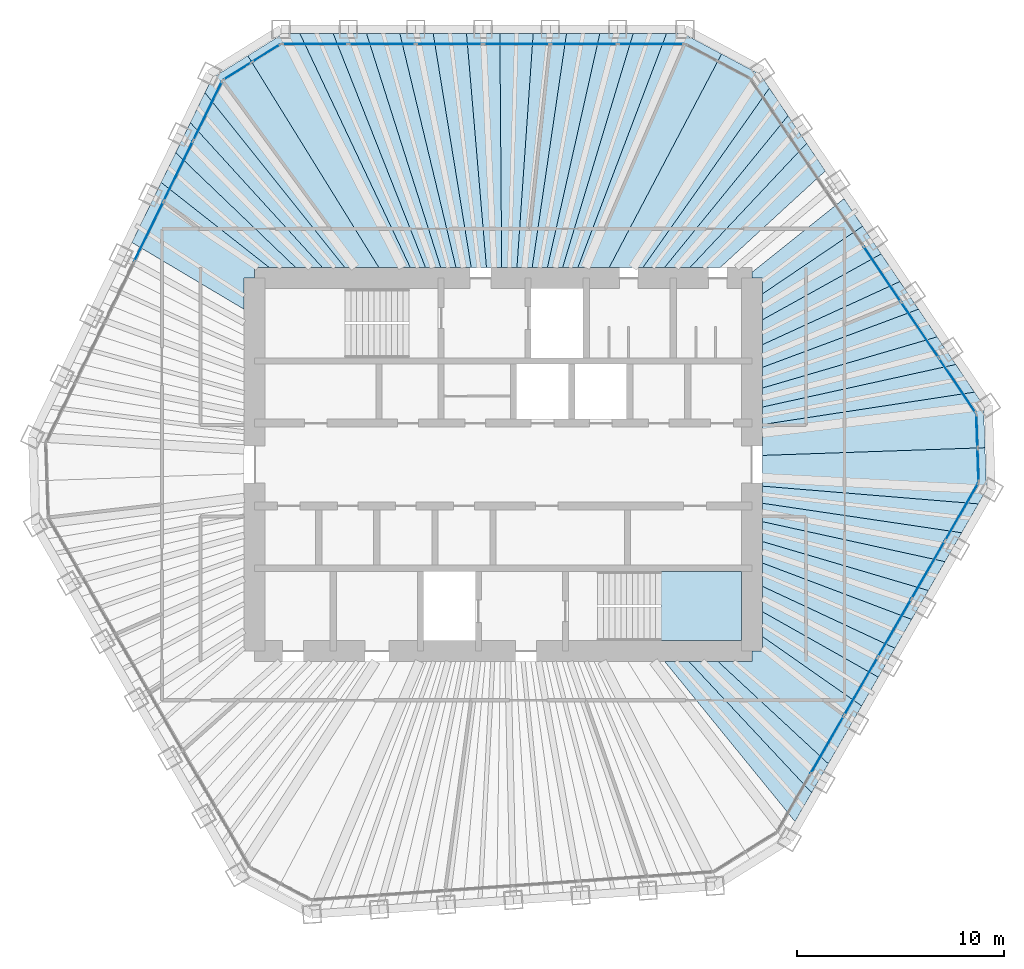
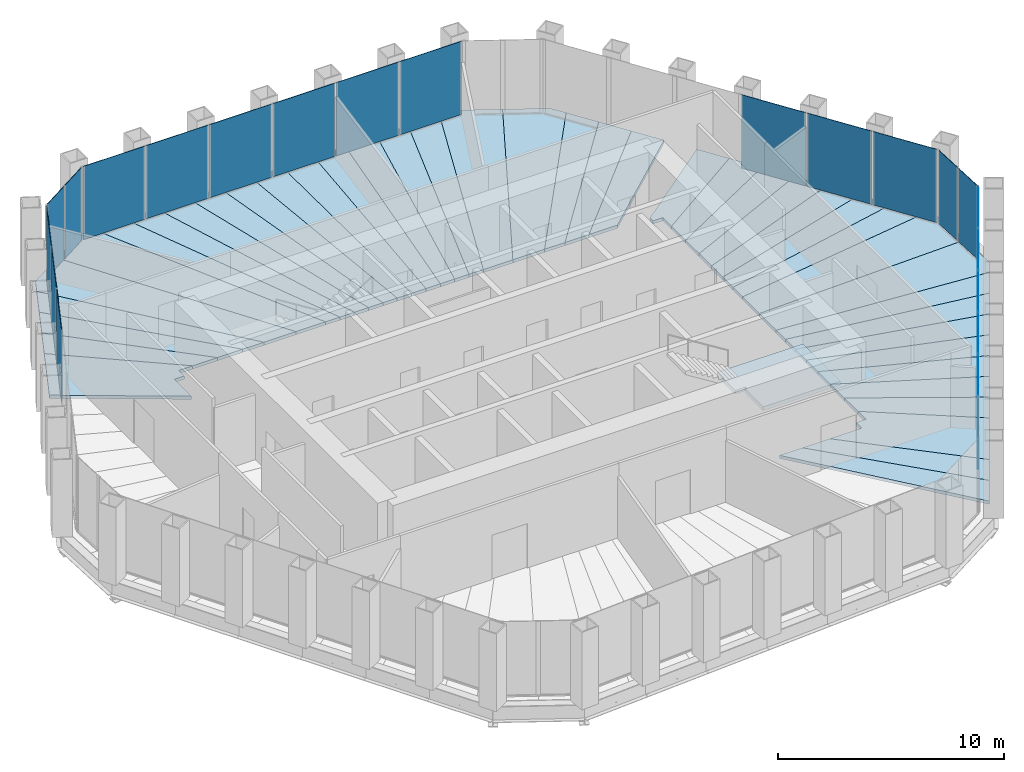
# One storey, part 10 of 14: 42 slabs, 21 plates, 7 elements without a shape of their own.
"""IFC4 building model written with IfcOpenShell, lengths in metres."""

from ifc_helpers import new_model, si_unit, direction, frame, origin, origin_2d, place, context, subcontext, project, spatial, polyline, rectangle, outline, extrude, material, layer, layer_set, type_object, element, aggregate, save


model = new_model("IFC4")

# Units and contexts
model_context = context("Model", 3, precision=1e-05, world=origin(), true_north=direction((0.0, 1.0)))
body_context = subcontext(model_context, "Body", "Model", "MODEL_VIEW")
ifc_project = project(units=[si_unit("LENGTHUNIT", "METRE"), si_unit("AREAUNIT", "SQUARE_METRE"), si_unit("VOLUMEUNIT", "CUBIC_METRE"), si_unit("PLANEANGLEUNIT", "RADIAN"), si_unit("MASSUNIT", "GRAM", prefix="KILO")], contexts=[model_context])

# Site, building, storey
site_placement = place(None, origin())
site = spatial("IfcSite", under=ifc_project, at=site_placement, CompositionType="ELEMENT")
building_placement = place(site_placement, origin())
building = spatial("IfcBuilding", under=site, at=building_placement, Name="Qingtian Harvest Tower", CompositionType="ELEMENT")
storey_placement = place(building_placement, frame((0.0, 0.0, 287.199951171875)))
storey = spatial("IfcBuildingStorey", under=building, at=storey_placement, Name="L63", CompositionType="ELEMENT", Elevation=287.199951171875)

# Slabs
ifc_material_1 = material(Name="Concrete fc' 35 MPa", Category="concrete")
ifc_layer_1 = layer(ifc_material_1, 0.169921875)
ifc_layer_set_1 = layer_set([ifc_layer_1], Name="Composite floor slab FS17 170")
slab_type_1 = type_object("IfcSlabType", Name="Composite floor slab FS17 170", PredefinedType="FLOOR", material=ifc_layer_set_1)
slab_1_placement = place(storey_placement, frame((0.0, 0.0, -0.169921875)))
element("IfcSlab", 1, at=slab_1_placement, inside=storey, type_object=slab_type_1, Name="Floor slab L63 panel D28", PredefinedType="FLOOR", context=body_context, shape_type="SweptSolid", body=[
    extrude(outline(polyline([(8.957275390625, -9.5), (14.88232421875, -15.8330078125), (14.077880859375, -17.2265625), (7.78515625, -9.5), (8.957275390625, -9.5)])), origin(), (0.0, 0.0, 1.0), 0.169921875),
])
slab_2_placement = place(storey_placement, frame((0.0, 0.0, -0.169921875)))
element("IfcSlab", 2, at=slab_2_placement, inside=storey, type_object=slab_type_1, Name="Floor slab L63 panel D29", PredefinedType="FLOOR", context=body_context, shape_type="SweptSolid", body=[
    extrude(outline(polyline([(10.35693359375, -9.5), (15.68701171875, -14.439453125), (14.88232421875, -15.8330078125), (8.957275390625, -9.5), (10.35693359375, -9.5)])), origin(), (0.0, 0.0, 1.0), 0.169921875),
])
slab_3_placement = place(storey_placement, frame((0.0, 0.0, -0.169921875)))
element("IfcSlab", 3, at=slab_3_placement, inside=storey, type_object=slab_type_1, Name="Floor slab L63 panel D31", PredefinedType="FLOOR", context=body_context, shape_type="SweptSolid", body=[
    extrude(outline(polyline([(12.5, -8.29443359375), (17.297119140625, -11.650390625), (15.68701171875, -14.439453125), (10.35693359375, -9.5), (12.0, -9.5), (12.0, -9.0), (12.5, -9.0), (12.5, -8.29443359375)])), origin(), (0.0, 0.0, 1.0), 0.169921875),
])
slab_4_placement = place(storey_placement, frame((0.0, 0.0, -0.169921875)))
element("IfcSlab", 4, at=slab_4_placement, inside=storey, type_object=slab_type_1, Name="Floor slab L63 panel D32", PredefinedType="FLOOR", context=body_context, shape_type="SweptSolid", body=[
    extrude(outline(polyline([(12.5, -7.099853515625), (18.099853515625, -10.26025390625), (17.297119140625, -11.650390625), (12.5, -8.29443359375), (12.5, -7.099853515625)])), origin(), (0.0, 0.0, 1.0), 0.169921875),
])
slab_5_placement = place(storey_placement, frame((0.0, 0.0, -0.169921875)))
element("IfcSlab", 5, at=slab_5_placement, inside=storey, type_object=slab_type_1, Name="Floor slab L63 panel D33", PredefinedType="FLOOR", context=body_context, shape_type="SweptSolid", body=[
    extrude(outline(polyline([(12.5, -5.875244140625), (18.904296875, -8.86669921875), (18.099853515625, -10.26025390625), (12.5, -7.099853515625), (12.5, -5.875244140625)])), origin(), (0.0, 0.0, 1.0), 0.169921875),
])
slab_6_placement = place(storey_placement, frame((0.0, 0.0, -0.169921875)))
element("IfcSlab", 6, at=slab_6_placement, inside=storey, type_object=slab_type_1, Name="Floor slab L63 panel D34", PredefinedType="FLOOR", context=body_context, shape_type="SweptSolid", body=[
    extrude(outline(polyline([(12.5, -4.750732421875), (19.708740234375, -7.473388671875), (18.904296875, -8.86669921875), (12.5, -5.875244140625), (12.5, -4.750732421875)])), origin(), (0.0, 0.0, 1.0), 0.169921875),
])
slab_7_placement = place(storey_placement, frame((0.0, 0.0, -0.169921875)))
element("IfcSlab", 7, at=slab_7_placement, inside=storey, type_object=slab_type_1, Name="Floor slab L63 panel D35", PredefinedType="FLOOR", context=body_context, shape_type="SweptSolid", body=[
    extrude(outline(polyline([(12.5, -3.714599609375), (20.51318359375, -6.080078125), (19.708740234375, -7.473388671875), (12.5, -4.750732421875), (12.5, -3.714599609375)])), origin(), (0.0, 0.0, 1.0), 0.169921875),
])
slab_8_placement = place(storey_placement, frame((0.0, 0.0, -0.169921875)))
element("IfcSlab", 8, at=slab_8_placement, inside=storey, type_object=slab_type_1, Name="Floor slab L63 panel D36", PredefinedType="FLOOR", context=body_context, shape_type="SweptSolid", body=[
    extrude(outline(polyline([(12.5, -2.756591796875), (21.317626953125, -4.6865234375), (20.51318359375, -6.080078125), (12.5, -3.714599609375), (12.5, -2.756591796875)])), origin(), (0.0, 0.0, 1.0), 0.169921875),
])
slab_9_placement = place(storey_placement, frame((0.0, 0.0, -0.169921875)))
element("IfcSlab", 9, at=slab_9_placement, inside=storey, type_object=slab_type_1, Name="Floor slab L63 panel D37", PredefinedType="FLOOR", context=body_context, shape_type="SweptSolid", body=[
    extrude(outline(polyline([(12.5, -1.868408203125), (22.122314453125, -3.293212890625), (21.317626953125, -4.6865234375), (12.5, -2.756591796875), (12.5, -1.868408203125)])), origin(), (0.0, 0.0, 1.0), 0.169921875),
])
slab_10_placement = place(storey_placement, frame((0.0, 0.0, -0.169921875)))
element("IfcSlab", 10, at=slab_10_placement, inside=storey, type_object=slab_type_1, Name="Floor slab L63 panel D38", PredefinedType="FLOOR", context=body_context, shape_type="SweptSolid", body=[
    extrude(outline(polyline([(12.5, -1.042724609375), (22.9267578125, -1.89990234375), (22.122314453125, -3.293212890625), (12.5, -1.868408203125), (12.5, -1.042724609375)])), origin(), (0.0, 0.0, 1.0), 0.169921875),
])
slab_11_placement = place(storey_placement, frame((0.0, 0.0, -0.169921875)))
element("IfcSlab", 11, at=slab_11_placement, inside=storey, type_object=slab_type_1, Name="Floor slab L63 panel D39", PredefinedType="FLOOR", context=body_context, shape_type="SweptSolid", body=[
    extrude(outline(polyline([(12.5, -1.042724609375), (12.5, 0.439697265625), (23.246826171875, 0.811767578125), (23.31787109375, -1.22216796875), (22.9267578125, -1.89990234375), (12.5, -1.042724609375)])), origin(), (0.0, 0.0, 1.0), 0.169921875),
])
slab_12_placement = place(storey_placement, frame((0.0, 0.0, -0.169921875)))
element("IfcSlab", 12, at=slab_12_placement, inside=storey, type_object=slab_type_1, Name="Floor slab L63 panel D40", PredefinedType="FLOOR", context=body_context, shape_type="SweptSolid", body=[
    extrude(outline(polyline([(12.5, 0.439697265625), (12.5, 1.928955078125), (22.73828125, 3.494384765625), (23.17578125, 2.845947265625), (23.246826171875, 0.811767578125), (12.5, 0.439697265625)])), origin(), (0.0, 0.0, 1.0), 0.169921875),
])
slab_13_placement = place(storey_placement, frame((0.0, 0.0, -0.169921875)))
element("IfcSlab", 13, at=slab_13_placement, inside=storey, type_object=slab_type_1, Name="Floor slab L63 panel D41", PredefinedType="FLOOR", context=body_context, shape_type="SweptSolid", body=[
    extrude(outline(polyline([(12.5, 2.772705078125), (21.838623046875, 4.828369140625), (22.73828125, 3.494384765625), (12.5, 1.928955078125), (12.5, 2.772705078125)])), origin(), (0.0, 0.0, 1.0), 0.169921875),
])
slab_14_placement = place(storey_placement, frame((0.0, 0.0, -0.169921875)))
element("IfcSlab", 14, at=slab_14_placement, inside=storey, type_object=slab_type_1, Name="Floor slab L63 panel D42", PredefinedType="FLOOR", context=body_context, shape_type="SweptSolid", body=[
    extrude(outline(polyline([(12.5, 3.688720703125), (20.93896484375, 6.162353515625), (21.838623046875, 4.828369140625), (12.5, 2.772705078125), (12.5, 3.688720703125)])), origin(), (0.0, 0.0, 1.0), 0.169921875),
])
slab_15_placement = place(storey_placement, frame((0.0, 0.0, -0.169921875)))
element("IfcSlab", 15, at=slab_15_placement, inside=storey, type_object=slab_type_1, Name="Floor slab L63 panel D43", PredefinedType="FLOOR", context=body_context, shape_type="SweptSolid", body=[
    extrude(outline(polyline([(12.5, 4.6875), (20.0390625, 7.49609375), (20.93896484375, 6.162353515625), (12.5, 3.688720703125), (12.5, 4.6875)])), origin(), (0.0, 0.0, 1.0), 0.169921875),
])
slab_16_placement = place(storey_placement, frame((0.0, 0.0, -0.169921875)))
element("IfcSlab", 16, at=slab_16_placement, inside=storey, type_object=slab_type_1, Name="Floor slab L63 panel D44", PredefinedType="FLOOR", context=body_context, shape_type="SweptSolid", body=[
    extrude(outline(polyline([(12.5, 5.780029296875), (19.139404296875, 8.830078125), (20.0390625, 7.49609375), (12.5, 4.6875), (12.5, 5.780029296875)])), origin(), (0.0, 0.0, 1.0), 0.169921875),
])
slab_17_placement = place(storey_placement, frame((0.0, 0.0, -0.169921875)))
element("IfcSlab", 17, at=slab_17_placement, inside=storey, type_object=slab_type_1, Name="Floor slab L63 panel D45", PredefinedType="FLOOR", context=body_context, shape_type="SweptSolid", body=[
    extrude(outline(polyline([(12.5, 6.980712890625), (18.23974609375, 10.1640625), (19.139404296875, 8.830078125), (12.5, 5.780029296875), (12.5, 6.980712890625)])), origin(), (0.0, 0.0, 1.0), 0.169921875),
])
slab_18_placement = place(storey_placement, frame((0.0, 0.0, -0.169921875)))
element("IfcSlab", 18, at=slab_18_placement, inside=storey, type_object=slab_type_1, Name="Floor slab L63 panel D46", PredefinedType="FLOOR", context=body_context, shape_type="SweptSolid", body=[
    extrude(outline(polyline([(12.5, 8.22998046875), (17.341064453125, 11.496337890625), (18.23974609375, 10.1640625), (12.5, 6.980712890625), (12.5, 8.22998046875)])), origin(), (0.0, 0.0, 1.0), 0.169921875),
])
slab_19_placement = place(storey_placement, frame((0.0, 0.0, -0.169921875)))
element("IfcSlab", 19, at=slab_19_placement, inside=storey, type_object=slab_type_1, Name="Floor slab L63 panel D47", PredefinedType="FLOOR", context=body_context, shape_type="SweptSolid", body=[
    extrude(outline(polyline([(12.5, 9.0), (12.0, 9.0), (12.0, 9.2734375), (16.44189453125, 12.829345703125), (17.341064453125, 11.496337890625), (12.5, 8.22998046875), (12.5, 9.0)])), origin(), (0.0, 0.0, 1.0), 0.169921875),
])
slab_20_placement = place(storey_placement, frame((0.0, 0.0, -0.169921875)))
element("IfcSlab", 20, at=slab_20_placement, inside=storey, type_object=slab_type_1, Name="Floor slab L63 panel D49", PredefinedType="FLOOR", context=body_context, shape_type="SweptSolid", body=[
    extrude(outline(polyline([(9.002685546875, 9.5), (14.641357421875, 15.498779296875), (15.541259765625, 14.16455078125), (10.4599609375, 9.5), (9.002685546875, 9.5)])), origin(), (0.0, 0.0, 1.0), 0.169921875),
])
slab_21_placement = place(storey_placement, frame((0.0, 0.0, -0.169921875)))
element("IfcSlab", 21, at=slab_21_placement, inside=storey, type_object=slab_type_1, Name="Floor slab L63 panel D50", PredefinedType="FLOOR", context=body_context, shape_type="SweptSolid", body=[
    extrude(outline(polyline([(7.77734375, 9.5), (13.74169921875, 16.832763671875), (14.641357421875, 15.498779296875), (9.002685546875, 9.5), (7.77734375, 9.5)])), origin(), (0.0, 0.0, 1.0), 0.169921875),
])
slab_22_placement = place(storey_placement, frame((0.0, 0.0, -0.169921875)))
element("IfcSlab", 22, at=slab_22_placement, inside=storey, type_object=slab_type_1, Name="Floor slab L63 panel D51", PredefinedType="FLOOR", context=body_context, shape_type="SweptSolid", body=[
    extrude(outline(polyline([(6.73291015625, 9.5), (12.841796875, 18.16650390625), (13.74169921875, 16.832763671875), (7.77734375, 9.5), (6.73291015625, 9.5)])), origin(), (0.0, 0.0, 1.0), 0.169921875),
])
slab_23_placement = place(storey_placement, frame((0.0, 0.0, -0.169921875)))
element("IfcSlab", 23, at=slab_23_placement, inside=storey, type_object=slab_type_1, Name="Floor slab L63 panel D52", PredefinedType="FLOOR", context=body_context, shape_type="SweptSolid", body=[
    extrude(outline(polyline([(6.73291015625, 9.5), (5.108154296875, 9.5), (10.5341796875, 19.809814453125), (12.404296875, 18.8154296875), (12.841796875, 18.16650390625), (6.73291015625, 9.5)])), origin(), (0.0, 0.0, 1.0), 0.169921875),
])
slab_24_placement = place(storey_placement, frame((0.0, 0.0, -0.169921875)))
element("IfcSlab", 24, at=slab_24_placement, inside=storey, type_object=slab_type_1, Name="Floor slab L63 panel D53", PredefinedType="FLOOR", context=body_context, shape_type="SweptSolid", body=[
    extrude(outline(polyline([(3.59814453125, 9.5), (7.880126953125, 20.804931640625), (8.662109375, 20.804931640625), (10.5341796875, 19.809814453125), (5.108154296875, 9.5), (3.59814453125, 9.5)])), origin(), (0.0, 0.0, 1.0), 0.169921875),
])
slab_25_placement = place(storey_placement, frame((0.0, 0.0, -0.169921875)))
element("IfcSlab", 25, at=slab_25_placement, inside=storey, type_object=slab_type_1, Name="Floor slab L63 panel D54", PredefinedType="FLOOR", context=body_context, shape_type="SweptSolid", body=[
    extrude(outline(polyline([(2.863525390625, 9.5), (6.27099609375, 20.804931640625), (7.880126953125, 20.804931640625), (3.59814453125, 9.5), (2.863525390625, 9.5)])), origin(), (0.0, 0.0, 1.0), 0.169921875),
])
slab_26_placement = place(storey_placement, frame((0.0, 0.0, -0.169921875)))
element("IfcSlab", 26, at=slab_26_placement, inside=storey, type_object=slab_type_1, Name="Floor slab L63 panel D55", PredefinedType="FLOOR", context=body_context, shape_type="SweptSolid", body=[
    extrude(outline(polyline([(2.12890625, 9.5), (4.662109375, 20.804931640625), (6.27099609375, 20.804931640625), (2.863525390625, 9.5), (2.12890625, 9.5)])), origin(), (0.0, 0.0, 1.0), 0.169921875),
])
slab_27_placement = place(storey_placement, frame((0.0, 0.0, -0.169921875)))
element("IfcSlab", 27, at=slab_27_placement, inside=storey, type_object=slab_type_1, Name="Floor slab L63 panel D56", PredefinedType="FLOOR", context=body_context, shape_type="SweptSolid", body=[
    extrude(outline(polyline([(1.394287109375, 9.5), (3.05322265625, 20.804931640625), (4.662109375, 20.804931640625), (2.12890625, 9.5), (1.394287109375, 9.5)])), origin(), (0.0, 0.0, 1.0), 0.169921875),
])
slab_28_placement = place(storey_placement, frame((0.0, 0.0, -0.169921875)))
element("IfcSlab", 28, at=slab_28_placement, inside=storey, type_object=slab_type_1, Name="Floor slab L63 panel D57", PredefinedType="FLOOR", context=body_context, shape_type="SweptSolid", body=[
    extrude(outline(polyline([(0.659423828125, 9.5), (1.4443359375, 20.804931640625), (3.05322265625, 20.804931640625), (1.394287109375, 9.5), (0.659423828125, 9.5)])), origin(), (0.0, 0.0, 1.0), 0.169921875),
])
slab_29_placement = place(storey_placement, frame((0.0, 0.0, -0.169921875)))
element("IfcSlab", 29, at=slab_29_placement, inside=storey, type_object=slab_type_1, Name="Floor slab L63 panel D58", PredefinedType="FLOOR", context=body_context, shape_type="SweptSolid", body=[
    extrude(outline(polyline([(-0.0751953125, 9.5), (-0.16455078125, 20.804931640625), (1.4443359375, 20.804931640625), (0.659423828125, 9.5), (-0.0751953125, 9.5)])), origin(), (0.0, 0.0, 1.0), 0.169921875),
])
slab_30_placement = place(storey_placement, frame((0.0, 0.0, -0.169921875)))
element("IfcSlab", 30, at=slab_30_placement, inside=storey, type_object=slab_type_1, Name="Floor slab L63 panel D59", PredefinedType="FLOOR", context=body_context, shape_type="SweptSolid", body=[
    extrude(outline(polyline([(-0.809814453125, 9.5), (-1.773681640625, 20.804931640625), (-0.16455078125, 20.804931640625), (-0.0751953125, 9.5), (-0.809814453125, 9.5)])), origin(), (0.0, 0.0, 1.0), 0.169921875),
])
slab_31_placement = place(storey_placement, frame((0.0, 0.0, -0.169921875)))
element("IfcSlab", 31, at=slab_31_placement, inside=storey, type_object=slab_type_1, Name="Floor slab L63 panel D60", PredefinedType="FLOOR", context=body_context, shape_type="SweptSolid", body=[
    extrude(outline(polyline([(-1.54443359375, 9.5), (-3.382568359375, 20.804931640625), (-1.773681640625, 20.804931640625), (-0.809814453125, 9.5), (-1.54443359375, 9.5)])), origin(), (0.0, 0.0, 1.0), 0.169921875),
])
slab_32_placement = place(storey_placement, frame((0.0, 0.0, -0.169921875)))
element("IfcSlab", 32, at=slab_32_placement, inside=storey, type_object=slab_type_1, Name="Floor slab L63 panel D61", PredefinedType="FLOOR", context=body_context, shape_type="SweptSolid", body=[
    extrude(outline(polyline([(-2.279296875, 9.5), (-4.991455078125, 20.804931640625), (-3.382568359375, 20.804931640625), (-1.54443359375, 9.5), (-2.279296875, 9.5)])), origin(), (0.0, 0.0, 1.0), 0.169921875),
])
slab_33_placement = place(storey_placement, frame((0.0, 0.0, -0.169921875)))
element("IfcSlab", 33, at=slab_33_placement, inside=storey, type_object=slab_type_1, Name="Floor slab L63 panel D62", PredefinedType="FLOOR", context=body_context, shape_type="SweptSolid", body=[
    extrude(outline(polyline([(-3.013916015625, 9.5), (-6.600341796875, 20.804931640625), (-4.991455078125, 20.804931640625), (-2.279296875, 9.5), (-3.013916015625, 9.5)])), origin(), (0.0, 0.0, 1.0), 0.169921875),
])
slab_34_placement = place(storey_placement, frame((0.0, 0.0, -0.169921875)))
element("IfcSlab", 34, at=slab_34_placement, inside=storey, type_object=slab_type_1, Name="Floor slab L63 panel D63", PredefinedType="FLOOR", context=body_context, shape_type="SweptSolid", body=[
    extrude(outline(polyline([(-3.74853515625, 9.5), (-8.209228515625, 20.804931640625), (-6.600341796875, 20.804931640625), (-3.013916015625, 9.5), (-3.74853515625, 9.5)])), origin(), (0.0, 0.0, 1.0), 0.169921875),
])
slab_35_placement = place(storey_placement, frame((0.0, 0.0, -0.169921875)))
element("IfcSlab", 35, at=slab_35_placement, inside=storey, type_object=slab_type_1, Name="Floor slab L63 panel D64", PredefinedType="FLOOR", context=body_context, shape_type="SweptSolid", body=[
    extrude(outline(polyline([(-4.483154296875, 9.5), (-9.818115234375, 20.804931640625), (-8.209228515625, 20.804931640625), (-3.74853515625, 9.5), (-4.483154296875, 9.5)])), origin(), (0.0, 0.0, 1.0), 0.169921875),
])
slab_36_placement = place(storey_placement, frame((0.0, 0.0, -0.169921875)))
element("IfcSlab", 36, at=slab_36_placement, inside=storey, type_object=slab_type_1, Name="Floor slab L63 panel D65", PredefinedType="FLOOR", context=body_context, shape_type="SweptSolid", body=[
    extrude(outline(polyline([(-4.483154296875, 9.5), (-5.998291015625, 9.5), (-12.327392578125, 19.725830078125), (-10.600341796875, 20.804931640625), (-9.818115234375, 20.804931640625), (-4.483154296875, 9.5)])), origin(), (0.0, 0.0, 1.0), 0.169921875),
])
slab_37_placement = place(storey_placement, frame((0.0, 0.0, -0.169921875)))
element("IfcSlab", 37, at=slab_37_placement, inside=storey, type_object=slab_type_1, Name="Floor slab L63 panel D66", PredefinedType="FLOOR", context=body_context, shape_type="SweptSolid", body=[
    extrude(outline(polyline([(-5.998291015625, 9.5), (-7.640869140625, 9.5), (-14.3955078125, 17.944580078125), (-14.052490234375, 18.64794921875), (-12.327392578125, 19.725830078125), (-5.998291015625, 9.5)])), origin(), (0.0, 0.0, 1.0), 0.169921875),
])
slab_38_placement = place(storey_placement, frame((0.0, 0.0, -0.169921875)))
element("IfcSlab", 38, at=slab_38_placement, inside=storey, type_object=slab_type_1, Name="Floor slab L63 panel D67", PredefinedType="FLOOR", context=body_context, shape_type="SweptSolid", body=[
    extrude(outline(polyline([(-8.720703125, 9.5), (-15.100830078125, 16.498291015625), (-14.3955078125, 17.944580078125), (-7.640869140625, 9.5), (-8.720703125, 9.5)])), origin(), (0.0, 0.0, 1.0), 0.169921875),
])
slab_39_placement = place(storey_placement, frame((0.0, 0.0, -0.169921875)))
element("IfcSlab", 39, at=slab_39_placement, inside=storey, type_object=slab_type_1, Name="Floor slab L63 panel D68", PredefinedType="FLOOR", context=body_context, shape_type="SweptSolid", body=[
    extrude(outline(polyline([(-10.00927734375, 9.5), (-15.80615234375, 15.05224609375), (-15.100830078125, 16.498291015625), (-8.720703125, 9.5), (-10.00927734375, 9.5)])), origin(), (0.0, 0.0, 1.0), 0.169921875),
])
slab_40_placement = place(storey_placement, frame((0.0, 0.0, -0.169921875)))
element("IfcSlab", 40, at=slab_40_placement, inside=storey, type_object=slab_type_1, Name="Floor slab L63 panel D69", PredefinedType="FLOOR", context=body_context, shape_type="SweptSolid", body=[
    extrude(outline(polyline([(-11.28125, 9.5), (-16.50927734375, 13.61083984375), (-15.80615234375, 15.05224609375), (-10.00927734375, 9.5), (-11.28125, 9.5)])), origin(), (0.0, 0.0, 1.0), 0.169921875),
])
slab_41_placement = place(storey_placement, frame((0.0, 0.0, -0.169921875)))
element("IfcSlab", 41, at=slab_41_placement, inside=storey, type_object=slab_type_1, Name="Floor slab L63 panel D70", PredefinedType="FLOOR", context=body_context, shape_type="SweptSolid", body=[
    extrude(outline(polyline([(-12.0, 9.0), (-12.5, 9.0), (-12.5, 7.48583984375), (-17.921875, 10.714599609375), (-16.50927734375, 13.61083984375), (-11.28125, 9.5), (-12.0, 9.5), (-12.0, 9.0)])), origin(), (0.0, 0.0, 1.0), 0.169921875),
])

# Curtain wall, plates
ifc_material_2 = material(Name="Bronze-anodised aluminium curtain wall", Category="aluminium")
curtain_wall_type = type_object("IfcCurtainWallType", Name="Curtain wall CW5 upper office", PredefinedType="USERDEFINED", material=ifc_material_2)
curtain_wall_1_placement = place(storey_placement, origin())
curtain_wall_1 = element("IfcCurtainWall", 42, at=curtain_wall_1_placement, inside=storey, type_object=curtain_wall_type, Name="Curtain wall CW5 L63 N0-5", ObjectType="RECESSED CURTAIN WALL", PredefinedType="USERDEFINED")
ifc_material_3 = material(Name="Bronze-tinted laminated insulating glass", Category="glass")
ifc_layer_2 = layer(ifc_material_3, 0.030029296875)
ifc_layer_set_2 = layer_set([ifc_layer_2], Name="Glazed panel CWP tinted IGU")
plate_type = type_object("IfcPlateType", Name="Glazed panel CWP tinted IGU", PredefinedType="CURTAIN_PANEL", material=ifc_layer_set_2)
plate_1_placement = place(storey_placement, frame((-9.08203125, 20.300048828125, 0.06494140625), z_axis=(0.0, 0.0, 1.0), x_axis=(1.0, 0.0, 0.0)))
plate_1 = element("IfcPlate", 43, at=plate_1_placement, type_object=plate_type, Name="CW5 panel 1.1", PredefinedType="CURTAIN_PANEL", context=body_context, shape_type="SweptSolid", body=[
    extrude(rectangle(XDim=3.150634765625, YDim=0.030029296875, at=origin_2d()), origin(), (0.0, 0.0, 1.0), 3.965087890625),
])
plate_2_placement = place(storey_placement, frame((-5.85009765625, 20.300048828125, 0.06494140625), z_axis=(0.0, 0.0, 1.0), x_axis=(1.0, 0.0, 0.0)))
plate_2 = element("IfcPlate", 44, at=plate_2_placement, type_object=plate_type, Name="CW5 panel 2.1", PredefinedType="CURTAIN_PANEL", context=body_context, shape_type="SweptSolid", body=[
    extrude(rectangle(XDim=3.18310546875, YDim=0.030029296875, at=origin_2d()), origin(), (0.0, 0.0, 1.0), 3.965087890625),
])
plate_3_placement = place(storey_placement, frame((-2.602294921875, 20.300048828125, 0.06494140625), z_axis=(0.0, 0.0, 1.0), x_axis=(1.0, 0.0, 0.0)))
plate_3 = element("IfcPlate", 45, at=plate_3_placement, type_object=plate_type, Name="CW5 panel 3.1", PredefinedType="CURTAIN_PANEL", context=body_context, shape_type="SweptSolid", body=[
    extrude(rectangle(XDim=3.18310546875, YDim=0.030029296875, at=origin_2d()), origin(), (0.0, 0.0, 1.0), 3.965087890625),
])
plate_4_placement = place(storey_placement, frame((0.645751953125, 20.300048828125, 0.06494140625), z_axis=(0.0, 0.0, 1.0), x_axis=(1.0, 0.0, 0.0)))
plate_4 = element("IfcPlate", 46, at=plate_4_placement, type_object=plate_type, Name="CW5 panel 4.1", PredefinedType="CURTAIN_PANEL", context=body_context, shape_type="SweptSolid", body=[
    extrude(rectangle(XDim=3.18310546875, YDim=0.030029296875, at=origin_2d()), origin(), (0.0, 0.0, 1.0), 3.965087890625),
])
plate_5_placement = place(storey_placement, frame((3.893798828125, 20.300048828125, 0.06494140625), z_axis=(0.0, 0.0, 1.0), x_axis=(1.0, 0.0, 0.0)))
plate_5 = element("IfcPlate", 47, at=plate_5_placement, type_object=plate_type, Name="CW5 panel 5.1", PredefinedType="CURTAIN_PANEL", context=body_context, shape_type="SweptSolid", body=[
    extrude(rectangle(XDim=3.18310546875, YDim=0.030029296875, at=origin_2d()), origin(), (0.0, 0.0, 1.0), 3.965087890625),
])
plate_6_placement = place(storey_placement, frame((7.125732421875, 20.300048828125, 0.06494140625), z_axis=(0.0, 0.0, 1.0), x_axis=(1.0, 0.0, 0.0)))
plate_6 = element("IfcPlate", 48, at=plate_6_placement, type_object=plate_type, Name="CW5 panel 6.1", PredefinedType="CURTAIN_PANEL", context=body_context, shape_type="SweptSolid", body=[
    extrude(rectangle(XDim=3.150634765625, YDim=0.030029296875, at=origin_2d()), origin(), (0.0, 0.0, 1.0), 3.965087890625),
])
aggregate(curtain_wall_1, [plate_1, plate_2, plate_3, plate_4, plate_5, plate_6])

curtain_wall_2_placement = place(storey_placement, origin())
curtain_wall_2 = element("IfcCurtainWall", 49, at=curtain_wall_2_placement, inside=storey, type_object=curtain_wall_type, Name="Curtain wall CW5 L63 NE0-5", ObjectType="RECESSED CURTAIN WALL", PredefinedType="USERDEFINED")
plate_7_placement = place(storey_placement, frame((18.28466796875, 9.1943359375, 0.06494140625), z_axis=(0.0, 0.0, 1.0), x_axis=(0.559192903471, -0.829037572555, 0.0)))
plate_7 = element("IfcPlate", 50, at=plate_7_placement, type_object=plate_type, Name="CW5 panel 4.1", PredefinedType="CURTAIN_PANEL", context=body_context, shape_type="SweptSolid", body=[
    extrude(rectangle(XDim=3.18310546875, YDim=0.030029296875, at=origin_2d()), origin(), (0.0, 0.0, 1.0), 3.965087890625),
])
plate_8_placement = place(storey_placement, frame((20.100830078125, 6.50146484375, 0.06494140625), z_axis=(0.0, 0.0, 1.0), x_axis=(0.559192903471, -0.829037572555, 0.0)))
plate_8 = element("IfcPlate", 51, at=plate_8_placement, type_object=plate_type, Name="CW5 panel 5.1", PredefinedType="CURTAIN_PANEL", context=body_context, shape_type="SweptSolid", body=[
    extrude(rectangle(XDim=3.18310546875, YDim=0.030029296875, at=origin_2d()), origin(), (0.0, 0.0, 1.0), 3.965087890625),
])
plate_9_placement = place(storey_placement, frame((21.907958984375, 3.822265625, 0.06494140625), z_axis=(0.0, 0.0, 1.0), x_axis=(0.559192903471, -0.829037572555, 0.0)))
plate_9 = element("IfcPlate", 52, at=plate_9_placement, type_object=plate_type, Name="CW5 panel 6.1", PredefinedType="CURTAIN_PANEL", context=body_context, shape_type="SweptSolid", body=[
    extrude(rectangle(XDim=3.150634765625, YDim=0.030029296875, at=origin_2d()), origin(), (0.0, 0.0, 1.0), 3.965087890625),
])
aggregate(curtain_wall_2, [plate_7, plate_8, plate_9])

curtain_wall_3_placement = place(storey_placement, origin())
curtain_wall_3 = element("IfcCurtainWall", 53, at=curtain_wall_3_placement, inside=storey, type_object=curtain_wall_type, Name="Curtain wall CW5 L63 NEC", ObjectType="RECESSED CURTAIN WALL", PredefinedType="USERDEFINED")
plate_10_placement = place(storey_placement, frame((22.85498046875, 1.614501953125, 0.06494140625), z_axis=(0.0, 0.0, 1.0), x_axis=(0.034899496703, -0.999390827019, 0.0)))
plate_10 = element("IfcPlate", 54, at=plate_10_placement, type_object=plate_type, Name="CW5 panel 1.1", PredefinedType="CURTAIN_PANEL", context=body_context, shape_type="SweptSolid", body=[
    extrude(rectangle(XDim=1.56689453125, YDim=0.030029296875, at=origin_2d()), origin(), (0.0, 0.0, 1.0), 3.965087890625),
])
plate_11_placement = place(storey_placement, frame((22.911865234375, -0.016357421875, 0.06494140625), z_axis=(0.0, 0.0, 1.0), x_axis=(0.034899496703, -0.999390827019, 0.0)))
plate_11 = element("IfcPlate", 55, at=plate_11_placement, type_object=plate_type, Name="CW5 panel 2.1", PredefinedType="CURTAIN_PANEL", context=body_context, shape_type="SweptSolid", body=[
    extrude(rectangle(XDim=1.56689453125, YDim=0.030029296875, at=origin_2d()), origin(), (0.0, 0.0, 1.0), 3.965087890625),
])
aggregate(curtain_wall_3, [plate_10, plate_11])

curtain_wall_4_placement = place(storey_placement, origin())
curtain_wall_4 = element("IfcCurtainWall", 56, at=curtain_wall_4_placement, inside=storey, type_object=curtain_wall_type, Name="Curtain wall CW5 L63 SE0-5", ObjectType="RECESSED CURTAIN WALL", PredefinedType="USERDEFINED")
plate_12_placement = place(storey_placement, frame((22.121337890625, -2.28466796875, 0.06494140625), z_axis=(0.0, 0.0, 1.0), x_axis=(-0.5, -0.866025403784, 0.0)))
plate_12 = element("IfcPlate", 57, at=plate_12_placement, type_object=plate_type, Name="CW5 panel 1.1", PredefinedType="CURTAIN_PANEL", context=body_context, shape_type="SweptSolid", body=[
    extrude(rectangle(XDim=3.150634765625, YDim=0.030029296875, at=origin_2d()), origin(), (0.0, 0.0, 1.0), 3.965087890625),
])
plate_13_placement = place(storey_placement, frame((20.50537109375, -5.08349609375, 0.06494140625), z_axis=(0.0, 0.0, 1.0), x_axis=(-0.5, -0.866025403784, 0.0)))
plate_13 = element("IfcPlate", 58, at=plate_13_placement, type_object=plate_type, Name="CW5 panel 2.1", PredefinedType="CURTAIN_PANEL", context=body_context, shape_type="SweptSolid", body=[
    extrude(rectangle(XDim=3.18310546875, YDim=0.030029296875, at=origin_2d()), origin(), (0.0, 0.0, 1.0), 3.965087890625),
])
plate_14_placement = place(storey_placement, frame((18.88134765625, -7.896484375, 0.06494140625), z_axis=(0.0, 0.0, 1.0), x_axis=(-0.5, -0.866025403784, 0.0)))
plate_14 = element("IfcPlate", 59, at=plate_14_placement, type_object=plate_type, Name="CW5 panel 3.1", PredefinedType="CURTAIN_PANEL", context=body_context, shape_type="SweptSolid", body=[
    extrude(rectangle(XDim=3.18310546875, YDim=0.030029296875, at=origin_2d()), origin(), (0.0, 0.0, 1.0), 3.965087890625),
])
plate_15_placement = place(storey_placement, frame((17.25732421875, -10.709228515625, 0.06494140625), z_axis=(0.0, 0.0, 1.0), x_axis=(-0.5, -0.866025403784, 0.0)))
plate_15 = element("IfcPlate", 60, at=plate_15_placement, type_object=plate_type, Name="CW5 panel 4.1", PredefinedType="CURTAIN_PANEL", context=body_context, shape_type="SweptSolid", body=[
    extrude(rectangle(XDim=3.18310546875, YDim=0.030029296875, at=origin_2d()), origin(), (0.0, 0.0, 1.0), 3.965087890625),
])
plate_16_placement = place(storey_placement, frame((15.63330078125, -13.522216796875, 0.06494140625), z_axis=(0.0, 0.0, 1.0), x_axis=(-0.5, -0.866025403784, 0.0)))
plate_16 = element("IfcPlate", 61, at=plate_16_placement, type_object=plate_type, Name="CW5 panel 5.1", PredefinedType="CURTAIN_PANEL", context=body_context, shape_type="SweptSolid", body=[
    extrude(rectangle(XDim=3.18310546875, YDim=0.030029296875, at=origin_2d()), origin(), (0.0, 0.0, 1.0), 3.965087890625),
])
aggregate(curtain_wall_4, [plate_12, plate_13, plate_14, plate_15, plate_16])

curtain_wall_5_placement = place(storey_placement, origin())
curtain_wall_5 = element("IfcCurtainWall", 62, at=curtain_wall_5_placement, inside=storey, type_object=curtain_wall_type, Name="Curtain wall CW5 L63 NW0-5", ObjectType="RECESSED CURTAIN WALL", PredefinedType="USERDEFINED")
plate_17_placement = place(storey_placement, frame((-17.104736328125, 11.23779296875, 0.06494140625), z_axis=(0.0, 0.0, 1.0), x_axis=(0.438371146789, 0.898794046299, 0.0)))
plate_17 = element("IfcPlate", 63, at=plate_17_placement, type_object=plate_type, Name="CW5 panel 4.1", PredefinedType="CURTAIN_PANEL", context=body_context, shape_type="SweptSolid", body=[
    extrude(rectangle(XDim=3.18310546875, YDim=0.030029296875, at=origin_2d()), origin(), (0.0, 0.0, 1.0), 3.965087890625),
])
plate_18_placement = place(storey_placement, frame((-15.680908203125, 14.156982421875, 0.06494140625), z_axis=(0.0, 0.0, 1.0), x_axis=(0.438371146789, 0.898794046299, 0.0)))
plate_18 = element("IfcPlate", 64, at=plate_18_placement, type_object=plate_type, Name="CW5 panel 5.1", PredefinedType="CURTAIN_PANEL", context=body_context, shape_type="SweptSolid", body=[
    extrude(rectangle(XDim=3.18310546875, YDim=0.030029296875, at=origin_2d()), origin(), (0.0, 0.0, 1.0), 3.965087890625),
])
plate_19_placement = place(storey_placement, frame((-14.26416015625, 17.061767578125, 0.06494140625), z_axis=(0.0, 0.0, 1.0), x_axis=(0.438371146789, 0.898794046299, 0.0)))
plate_19 = element("IfcPlate", 65, at=plate_19_placement, type_object=plate_type, Name="CW5 panel 6.1", PredefinedType="CURTAIN_PANEL", context=body_context, shape_type="SweptSolid", body=[
    extrude(rectangle(XDim=3.150634765625, YDim=0.030029296875, at=origin_2d()), origin(), (0.0, 0.0, 1.0), 3.965087890625),
])
aggregate(curtain_wall_5, [plate_17, plate_18, plate_19])

curtain_wall_6_placement = place(storey_placement, origin())
curtain_wall_6 = element("IfcCurtainWall", 66, at=curtain_wall_6_placement, inside=storey, type_object=curtain_wall_type, Name="Curtain wall CW5 L63 NWC", ObjectType="RECESSED CURTAIN WALL", PredefinedType="USERDEFINED")
plate_20_placement = place(storey_placement, frame((-12.82568359375, 18.985595703125, 0.06494140625), z_axis=(0.0, 0.0, 1.0), x_axis=(0.848048096156, 0.529919264233, 0.0)))
plate_20 = element("IfcPlate", 67, at=plate_20_placement, type_object=plate_type, Name="CW5 panel 1.1", PredefinedType="CURTAIN_PANEL", context=body_context, shape_type="SweptSolid", body=[
    extrude(rectangle(XDim=1.56689453125, YDim=0.030029296875, at=origin_2d()), origin(), (0.0, 0.0, 1.0), 3.965087890625),
])
plate_21_placement = place(storey_placement, frame((-11.441650390625, 19.850341796875, 0.06494140625), z_axis=(0.0, 0.0, 1.0), x_axis=(0.848048096156, 0.529919264233, 0.0)))
plate_21 = element("IfcPlate", 68, at=plate_21_placement, type_object=plate_type, Name="CW5 panel 2.1", PredefinedType="CURTAIN_PANEL", context=body_context, shape_type="SweptSolid", body=[
    extrude(rectangle(XDim=1.56689453125, YDim=0.030029296875, at=origin_2d()), origin(), (0.0, 0.0, 1.0), 3.965087890625),
])
aggregate(curtain_wall_6, [plate_20, plate_21])

# Stair, slab
ifc_material_4 = material(Name="Concrete fc' 35 MPa", Category="concrete")
stair_type = type_object("IfcStairType", Name="Special stair ST6 4200", PredefinedType="HALF_TURN_STAIR", material=ifc_material_4)
stair_placement = place(storey_placement, origin())
stair = element("IfcStair", 69, at=stair_placement, inside=storey, type_object=stair_type, Name="Special stair S2 L63", PredefinedType="HALF_TURN_STAIR")
ifc_material_5 = material(Name="Concrete fc' 35 MPa", Category="concrete")
ifc_layer_3 = layer(ifc_material_5, 0.199951171875)
ifc_layer_set_3 = layer_set([ifc_layer_3], Name="Stair landing SL2 200")
slab_type_2 = type_object("IfcSlabType", Name="Stair landing SL2 200", PredefinedType="LANDING", material=ifc_layer_set_3)
slab_42_placement = place(storey_placement, frame((0.0, 0.0, 1.900146484375)))
slab_42 = element("IfcSlab", 70, at=slab_42_placement, type_object=slab_type_2, Name="S2 landing 2", PredefinedType="LANDING", context=body_context, shape_type="SweptSolid", body=[
    extrude(outline(polyline([(7.530029296875, -8.5), (7.530029296875, -6.875), (7.6298828125, -6.875), (7.6298828125, -6.77490234375), (7.094970703125, -6.77490234375), (7.094970703125, -5.14990234375), (11.5, -5.14990234375), (11.5, -8.5), (7.530029296875, -8.5)])), origin(), (0.0, 0.0, 1.0), 0.199951171875),
])
aggregate(stair, [slab_42])

save(model, "model.ifc")
